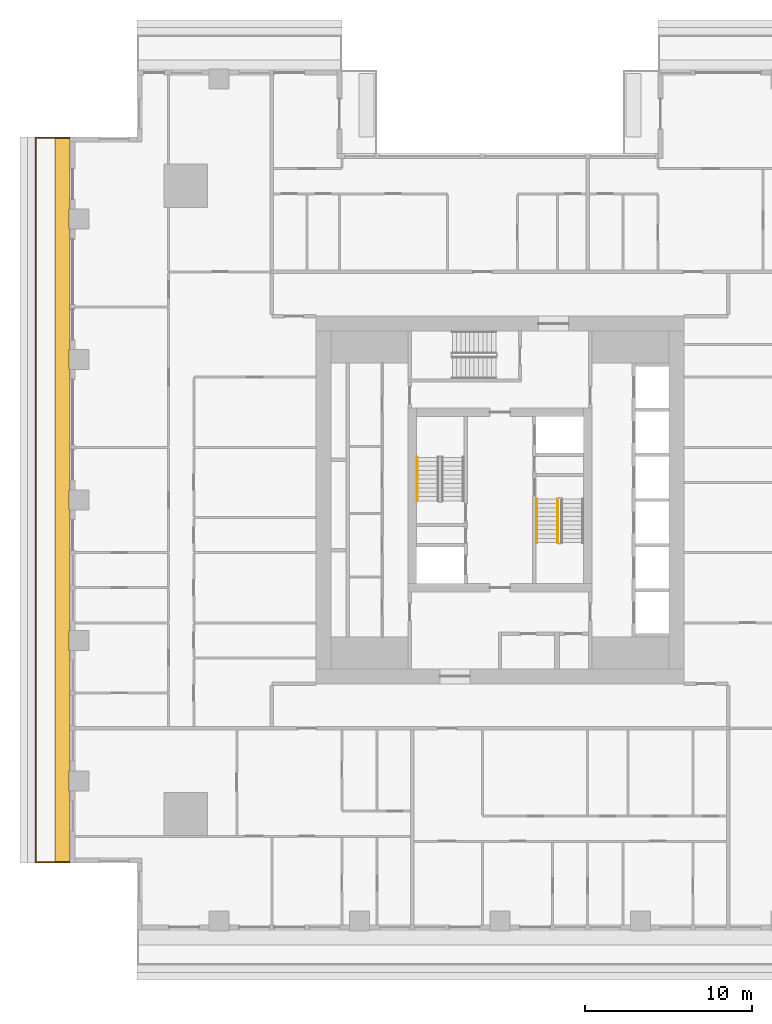
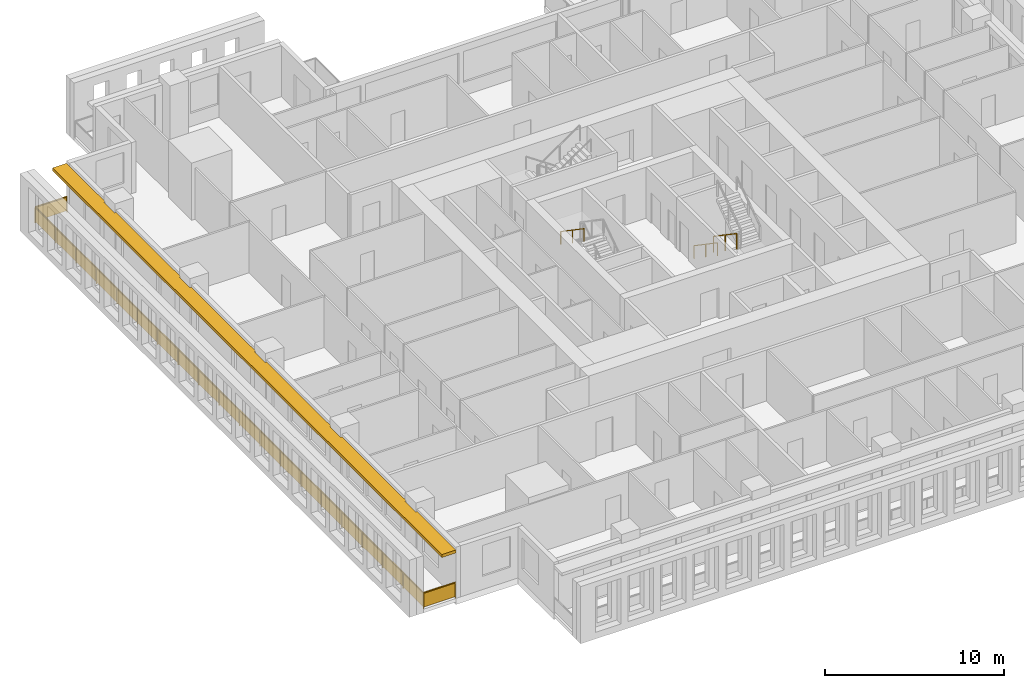
# One storey, part 12 of 16: 4 railings, 1 shading device.
"""IFC4 building model written with IfcOpenShell, lengths in metres."""

from ifc_helpers import new_model, si_unit, direction, frame, origin, origin_2d, place, context, subcontext, project, spatial, polyline, rectangle, outline, extrude, material, layer, layer_set, type_object, element, save


model = new_model("IFC4")

# Units and contexts
model_context = context("Model", 3, precision=1e-05, world=origin(), true_north=direction((0.0, 1.0)))
body_context = subcontext(model_context, "Body", "Model", "MODEL_VIEW")
ifc_project = project(units=[si_unit("LENGTHUNIT", "METRE"), si_unit("AREAUNIT", "SQUARE_METRE"), si_unit("VOLUMEUNIT", "CUBIC_METRE"), si_unit("PLANEANGLEUNIT", "RADIAN"), si_unit("MASSUNIT", "GRAM", prefix="KILO")], contexts=[model_context])

# Site, building, storey
site_placement = place(None, origin())
site = spatial("IfcSite", under=ifc_project, at=site_placement, CompositionType="ELEMENT")
building_placement = place(site_placement, origin())
building = spatial("IfcBuilding", under=site, at=building_placement, Name="Khepri Terraces", CompositionType="ELEMENT")
storey_placement = place(building_placement, frame((0.0, 0.0, 157.199951171875)))
storey = spatial("IfcBuildingStorey", under=building, at=storey_placement, Name="L37", CompositionType="ELEMENT", Elevation=157.199951171875)

# Railings
ifc_material_1 = material(Name="Stainless steel grade 316", Category="steel")
railing_type_1 = type_object("IfcRailingType", Name="GRD-BAL-1100", PredefinedType="GUARDRAIL", material=ifc_material_1)
railing_1_placement = place(storey_placement, frame((-25.719970703125, 21.669921875, 0.0)))
element("IfcRailing", 1, at=railing_1_placement, inside=storey, type_object=railing_type_1, Name="Balcony guard L37 W", PredefinedType="GUARDRAIL", context=body_context, shape_type="SweptSolid", body=[
    extrude(rectangle(XDim=0.050048828125, YDim=0.06005859375, at=origin_2d()), frame((0.0, 0.0, 1.070068359375), z_axis=(-1.0, 0.0, 0.0), x_axis=(0.0, -1.0, 0.0)), (0.0, 0.0, 1.0), 2.050048828125),
    extrude(rectangle(XDim=2.0, YDim=0.011962890625, at=origin_2d()), frame((-1.02490234375, 0.0, 0.10009765625), z_axis=(0.0, 0.0, 1.0), x_axis=(-1.0, 0.0, 0.0)), (0.0, 0.0, 1.0), 0.93994140625),
    extrude(rectangle(XDim=0.050048828125, YDim=0.06005859375, at=origin_2d()), frame((-2.050048828125, 0.0, 1.070068359375), z_axis=(0.0, -1.0, 0.0), x_axis=(1.0, 0.0, 0.0)), (0.0, 0.0, 1.0), 43.33984375),
    extrude(rectangle(XDim=2.23095703125, YDim=0.011962890625, at=origin_2d()), frame((-2.050048828125, -1.140625, 0.10009765625), z_axis=(0.0, 0.0, 1.0), x_axis=(0.0, -1.0, 0.0)), (0.0, 0.0, 1.0), 0.93994140625),
    extrude(rectangle(XDim=2.23095703125, YDim=0.011962890625, at=origin_2d()), frame((-2.050048828125, -3.421630859375, 0.10009765625), z_axis=(0.0, 0.0, 1.0), x_axis=(0.0, -1.0, 0.0)), (0.0, 0.0, 1.0), 0.93994140625),
    extrude(rectangle(XDim=2.23095703125, YDim=0.011962890625, at=origin_2d()), frame((-2.050048828125, -5.70263671875, 0.10009765625), z_axis=(0.0, 0.0, 1.0), x_axis=(0.0, -1.0, 0.0)), (0.0, 0.0, 1.0), 0.93994140625),
    extrude(rectangle(XDim=2.23095703125, YDim=0.011962890625, at=origin_2d()), frame((-2.050048828125, -7.983642578125, 0.10009765625), z_axis=(0.0, 0.0, 1.0), x_axis=(0.0, -1.0, 0.0)), (0.0, 0.0, 1.0), 0.93994140625),
    extrude(rectangle(XDim=2.23095703125, YDim=0.011962890625, at=origin_2d()), frame((-2.050048828125, -10.2646484375, 0.10009765625), z_axis=(0.0, 0.0, 1.0), x_axis=(0.0, -1.0, 0.0)), (0.0, 0.0, 1.0), 0.93994140625),
    extrude(rectangle(XDim=2.23095703125, YDim=0.011962890625, at=origin_2d()), frame((-2.050048828125, -12.545654296875, 0.10009765625), z_axis=(0.0, 0.0, 1.0), x_axis=(0.0, -1.0, 0.0)), (0.0, 0.0, 1.0), 0.93994140625),
    extrude(rectangle(XDim=2.23095703125, YDim=0.011962890625, at=origin_2d()), frame((-2.050048828125, -14.826904296875, 0.10009765625), z_axis=(0.0, 0.0, 1.0), x_axis=(0.0, -1.0, 0.0)), (0.0, 0.0, 1.0), 0.93994140625),
    extrude(rectangle(XDim=2.23095703125, YDim=0.011962890625, at=origin_2d()), frame((-2.050048828125, -17.10791015625, 0.10009765625), z_axis=(0.0, 0.0, 1.0), x_axis=(0.0, -1.0, 0.0)), (0.0, 0.0, 1.0), 0.93994140625),
    extrude(rectangle(XDim=2.23095703125, YDim=0.011962890625, at=origin_2d()), frame((-2.050048828125, -19.388916015625, 0.10009765625), z_axis=(0.0, 0.0, 1.0), x_axis=(0.0, -1.0, 0.0)), (0.0, 0.0, 1.0), 0.93994140625),
    extrude(rectangle(XDim=2.23095703125, YDim=0.011962890625, at=origin_2d()), frame((-2.050048828125, -21.669921875, 0.10009765625), z_axis=(0.0, 0.0, 1.0), x_axis=(0.0, -1.0, 0.0)), (0.0, 0.0, 1.0), 0.93994140625),
    extrude(rectangle(XDim=2.23095703125, YDim=0.011962890625, at=origin_2d()), frame((-2.050048828125, -23.950927734375, 0.10009765625), z_axis=(0.0, 0.0, 1.0), x_axis=(0.0, -1.0, 0.0)), (0.0, 0.0, 1.0), 0.93994140625),
    extrude(rectangle(XDim=2.23095703125, YDim=0.011962890625, at=origin_2d()), frame((-2.050048828125, -26.23193359375, 0.10009765625), z_axis=(0.0, 0.0, 1.0), x_axis=(0.0, -1.0, 0.0)), (0.0, 0.0, 1.0), 0.93994140625),
    extrude(rectangle(XDim=2.23095703125, YDim=0.011962890625, at=origin_2d()), frame((-2.050048828125, -28.512939453125, 0.10009765625), z_axis=(0.0, 0.0, 1.0), x_axis=(0.0, -1.0, 0.0)), (0.0, 0.0, 1.0), 0.93994140625),
    extrude(rectangle(XDim=2.23095703125, YDim=0.011962890625, at=origin_2d()), frame((-2.050048828125, -30.794189453125, 0.10009765625), z_axis=(0.0, 0.0, 1.0), x_axis=(0.0, -1.0, 0.0)), (0.0, 0.0, 1.0), 0.93994140625),
    extrude(rectangle(XDim=2.23095703125, YDim=0.011962890625, at=origin_2d()), frame((-2.050048828125, -33.0751953125, 0.10009765625), z_axis=(0.0, 0.0, 1.0), x_axis=(0.0, -1.0, 0.0)), (0.0, 0.0, 1.0), 0.93994140625),
    extrude(rectangle(XDim=2.23095703125, YDim=0.011962890625, at=origin_2d()), frame((-2.050048828125, -35.356201171875, 0.10009765625), z_axis=(0.0, 0.0, 1.0), x_axis=(0.0, -1.0, 0.0)), (0.0, 0.0, 1.0), 0.93994140625),
    extrude(rectangle(XDim=2.23095703125, YDim=0.011962890625, at=origin_2d()), frame((-2.050048828125, -37.63720703125, 0.10009765625), z_axis=(0.0, 0.0, 1.0), x_axis=(0.0, -1.0, 0.0)), (0.0, 0.0, 1.0), 0.93994140625),
    extrude(rectangle(XDim=2.23095703125, YDim=0.011962890625, at=origin_2d()), frame((-2.050048828125, -39.918212890625, 0.10009765625), z_axis=(0.0, 0.0, 1.0), x_axis=(0.0, -1.0, 0.0)), (0.0, 0.0, 1.0), 0.93994140625),
    extrude(rectangle(XDim=2.23095703125, YDim=0.011962890625, at=origin_2d()), frame((-2.050048828125, -42.19921875, 0.10009765625), z_axis=(0.0, 0.0, 1.0), x_axis=(0.0, -1.0, 0.0)), (0.0, 0.0, 1.0), 0.93994140625),
    extrude(rectangle(XDim=0.050048828125, YDim=0.06005859375, at=origin_2d()), frame((-2.050048828125, -43.33984375, 1.070068359375), z_axis=(1.0, 0.0, 0.0), x_axis=(0.0, 1.0, 0.0)), (0.0, 0.0, 1.0), 2.050048828125),
    extrude(rectangle(XDim=2.0, YDim=0.011962890625, at=origin_2d()), frame((-1.02490234375, -43.33984375, 0.10009765625), z_axis=(0.0, 0.0, 1.0), x_axis=(1.0, 0.0, 0.0)), (0.0, 0.0, 1.0), 0.93994140625),
    extrude(rectangle(XDim=0.050048828125, YDim=0.050048828125, at=origin_2d()), origin(), (0.0, 0.0, 1.0), 1.0400390625),
    extrude(rectangle(XDim=0.050048828125, YDim=0.050048828125, at=origin_2d()), frame((-2.050048828125, 0.0, 0.0)), (0.0, 0.0, 1.0), 1.0400390625),
    extrude(rectangle(XDim=0.050048828125, YDim=0.050048828125, at=origin_2d()), frame((-2.050048828125, -2.281005859375, 0.0)), (0.0, 0.0, 1.0), 1.0400390625),
    extrude(rectangle(XDim=0.050048828125, YDim=0.050048828125, at=origin_2d()), frame((-2.050048828125, -4.56201171875, 0.0)), (0.0, 0.0, 1.0), 1.0400390625),
    extrude(rectangle(XDim=0.050048828125, YDim=0.050048828125, at=origin_2d()), frame((-2.050048828125, -6.843017578125, 0.0)), (0.0, 0.0, 1.0), 1.0400390625),
    extrude(rectangle(XDim=0.050048828125, YDim=0.050048828125, at=origin_2d()), frame((-2.050048828125, -9.124267578125, 0.0)), (0.0, 0.0, 1.0), 1.0400390625),
    extrude(rectangle(XDim=0.050048828125, YDim=0.050048828125, at=origin_2d()), frame((-2.050048828125, -11.4052734375, 0.0)), (0.0, 0.0, 1.0), 1.0400390625),
    extrude(rectangle(XDim=0.050048828125, YDim=0.050048828125, at=origin_2d()), frame((-2.050048828125, -13.686279296875, 0.0)), (0.0, 0.0, 1.0), 1.0400390625),
    extrude(rectangle(XDim=0.050048828125, YDim=0.050048828125, at=origin_2d()), frame((-2.050048828125, -15.96728515625, 0.0)), (0.0, 0.0, 1.0), 1.0400390625),
    extrude(rectangle(XDim=0.050048828125, YDim=0.050048828125, at=origin_2d()), frame((-2.050048828125, -18.248291015625, 0.0)), (0.0, 0.0, 1.0), 1.0400390625),
    extrude(rectangle(XDim=0.050048828125, YDim=0.050048828125, at=origin_2d()), frame((-2.050048828125, -20.529296875, 0.0)), (0.0, 0.0, 1.0), 1.0400390625),
    extrude(rectangle(XDim=0.050048828125, YDim=0.050048828125, at=origin_2d()), frame((-2.050048828125, -22.810546875, 0.0)), (0.0, 0.0, 1.0), 1.0400390625),
    extrude(rectangle(XDim=0.050048828125, YDim=0.050048828125, at=origin_2d()), frame((-2.050048828125, -25.091552734375, 0.0)), (0.0, 0.0, 1.0), 1.0400390625),
    extrude(rectangle(XDim=0.050048828125, YDim=0.050048828125, at=origin_2d()), frame((-2.050048828125, -27.37255859375, 0.0)), (0.0, 0.0, 1.0), 1.0400390625),
    extrude(rectangle(XDim=0.050048828125, YDim=0.050048828125, at=origin_2d()), frame((-2.050048828125, -29.653564453125, 0.0)), (0.0, 0.0, 1.0), 1.0400390625),
    extrude(rectangle(XDim=0.050048828125, YDim=0.050048828125, at=origin_2d()), frame((-2.050048828125, -31.9345703125, 0.0)), (0.0, 0.0, 1.0), 1.0400390625),
    extrude(rectangle(XDim=0.050048828125, YDim=0.050048828125, at=origin_2d()), frame((-2.050048828125, -34.215576171875, 0.0)), (0.0, 0.0, 1.0), 1.0400390625),
    extrude(rectangle(XDim=0.050048828125, YDim=0.050048828125, at=origin_2d()), frame((-2.050048828125, -36.496826171875, 0.0)), (0.0, 0.0, 1.0), 1.0400390625),
    extrude(rectangle(XDim=0.050048828125, YDim=0.050048828125, at=origin_2d()), frame((-2.050048828125, -38.77783203125, 0.0)), (0.0, 0.0, 1.0), 1.0400390625),
    extrude(rectangle(XDim=0.050048828125, YDim=0.050048828125, at=origin_2d()), frame((-2.050048828125, -41.058837890625, 0.0)), (0.0, 0.0, 1.0), 1.0400390625),
    extrude(rectangle(XDim=0.050048828125, YDim=0.050048828125, at=origin_2d()), frame((-2.050048828125, -43.33984375, 0.0)), (0.0, 0.0, 1.0), 1.0400390625),
    extrude(rectangle(XDim=0.050048828125, YDim=0.050048828125, at=origin_2d()), frame((0.0, -43.33984375, 0.0)), (0.0, 0.0, 1.0), 1.0400390625),
])
ifc_material_2 = material(Name="Stainless steel 316", Category="steel")
railing_type_2 = type_object("IfcRailingType", Name="RL-CORE-GUARD", PredefinedType="GUARDRAIL", material=ifc_material_2)
railing_2_placement = place(storey_placement, frame((3.449951171875, 0.050048828125, 0.17724609375)))
element("IfcRailing", 2, at=railing_2_placement, inside=storey, type_object=railing_type_2, Name="L37 ST-2 stair guard 1", PredefinedType="GUARDRAIL", context=body_context, shape_type="SweptSolid", body=[
    extrude(rectangle(XDim=0.050048828125, YDim=0.06005859375, at=origin_2d()), frame((0.0, 0.0, 1.070068359375), z_axis=(0.0, -0.826240473404, 0.563317565952), x_axis=(1.0, 0.0, 0.0)), (0.0, 0.0, 1.0), 3.14697265625),
    extrude(rectangle(XDim=0.050048828125, YDim=0.050048828125, at=origin_2d()), origin(), (0.0, 0.0, 1.0), 1.0400390625),
    extrude(rectangle(XDim=0.050048828125, YDim=0.050048828125, at=origin_2d()), frame((0.0, -1.300048828125, 0.88623046875)), (0.0, 0.0, 1.0), 1.0400390625),
    extrude(rectangle(XDim=0.050048828125, YDim=0.050048828125, at=origin_2d()), frame((0.0, -2.60009765625, 1.772705078125)), (0.0, 0.0, 1.0), 1.0400390625),
])
railing_type_3 = type_object("IfcRailingType", Name="RL-CORE-HANDRAIL", PredefinedType="HANDRAIL", material=ifc_material_2)
for number, where, name in (
    (3, (-4.949951171875, 2.550048828125, 2.12744140625), "L37 ST-1 stair handrail 2"),
    (4, (2.199951171875, 0.050048828125, 0.17724609375), "L37 ST-2 stair handrail 1"),
):
    element("IfcRailing", number, at=place(storey_placement, frame(where)), inside=storey, type_object=railing_type_3, Name=name, PredefinedType="HANDRAIL", context=body_context, shape_type="SweptSolid", body=[
        extrude(rectangle(XDim=0.050048828125, YDim=0.050048828125, at=origin_2d()), frame((0.0, 0.0, 0.875), z_axis=(0.0, -0.826240473404, 0.563317565952), x_axis=(1.0, 0.0, 0.0)), (0.0, 0.0, 1.0), 3.14697265625),
        extrude(rectangle(XDim=0.050048828125, YDim=0.050048828125, at=origin_2d()), origin(), (0.0, 0.0, 1.0), 0.849853515625),
        extrude(rectangle(XDim=0.050048828125, YDim=0.050048828125, at=origin_2d()), frame((0.0, -1.300048828125, 0.88623046875)), (0.0, 0.0, 1.0), 0.849853515625),
        extrude(rectangle(XDim=0.050048828125, YDim=0.050048828125, at=origin_2d()), frame((0.0, -2.60009765625, 1.772705078125)), (0.0, 0.0, 1.0), 0.849853515625),
    ])

# Shading device
ifc_material_3 = material(Name="Precast concrete C50/60 warm stone", Category="masonry")
ifc_layer = layer(ifc_material_3, 0.199951171875, Name="Precast concrete C50/60 warm stone", Category="masonry")
ifc_layer_set = layer_set([ifc_layer], Name="Precast concrete C50/60 warm stone")
shading_device_type = type_object("IfcShadingDeviceType", Name="SSH-BAND-STONE-200", PredefinedType="USERDEFINED", material=ifc_layer_set)
shading_device_placement = place(storey_placement, frame((0.0, 0.0, 3.10009765625)))
element("IfcShadingDevice", 5, at=shading_device_placement, inside=storey, type_object=shading_device_type, Name="Sunshade band L37 W", ObjectType="SUNSHADE", PredefinedType="USERDEFINED", context=body_context, shape_type="SweptSolid", body=[
    extrude(outline(polyline([(-25.719970703125, 17.39990234375), (-25.719970703125, 21.719970703125), (-26.6201171875, 21.719970703125), (-26.6201171875, -21.719970703125), (-25.719970703125, -21.719970703125), (-25.719970703125, -17.39990234375), (-25.800048828125, -17.39990234375), (-25.800048828125, -16.199951171875), (-25.719970703125, -16.199951171875), (-25.719970703125, -9.0), (-25.800048828125, -9.0), (-25.800048828125, -7.800048828125), (-25.719970703125, -7.800048828125), (-25.719970703125, -0.60009765625), (-25.800048828125, -0.60009765625), (-25.800048828125, 0.60009765625), (-25.719970703125, 0.60009765625), (-25.719970703125, 7.800048828125), (-25.800048828125, 7.800048828125), (-25.800048828125, 9.0), (-25.719970703125, 9.0), (-25.719970703125, 16.199951171875), (-25.800048828125, 16.199951171875), (-25.800048828125, 17.39990234375), (-25.719970703125, 17.39990234375)])), origin(), (0.0, 0.0, 1.0), 0.199951171875),
])

save(model, "model.ifc")
